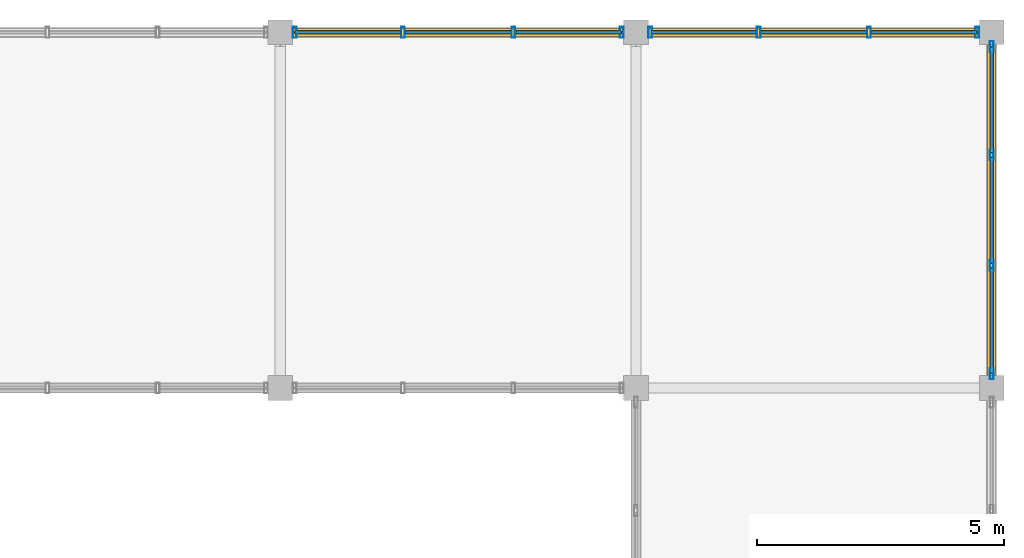
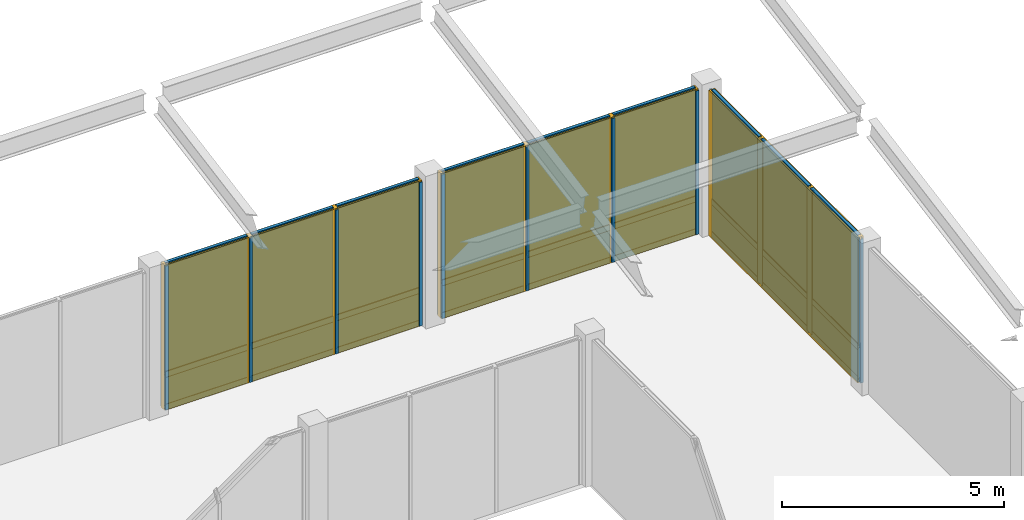
# One storey, part 15 of 16: 39 members, 18 plates, 3 curtain walls.
"""IFC4 building model written with IfcOpenShell, lengths in metres."""

from ifc_helpers import new_model, si_unit, direction, frame, origin, origin_2d, place, context, subcontext, project, spatial, rectangle, hollow_rectangle, extrude, material, layer, layer_set, material_profile, profile_set, type_object, element, aggregate, save


model = new_model("IFC4")

# Units and contexts
model_context = context("Model", 3, precision=1e-05, world=origin(), true_north=direction((0.0, 1.0)))
body_context = subcontext(model_context, "Body", "Model", "MODEL_VIEW")
ifc_project = project(units=[si_unit("LENGTHUNIT", "METRE"), si_unit("AREAUNIT", "SQUARE_METRE"), si_unit("VOLUMEUNIT", "CUBIC_METRE"), si_unit("PLANEANGLEUNIT", "RADIAN"), si_unit("MASSUNIT", "GRAM", prefix="KILO")], contexts=[model_context])

# Member
ifc_material_1 = material(Name="Anodized Aluminium 6063-T6", Category="aluminium")
ifc_material_profile_1 = material_profile(ifc_material_1, hollow_rectangle(XDim=0.074951171875, YDim=0.219970703125, WallThickness=0.0048828125, at=origin_2d()), Name="ALU 75x220x5")
ifc_profile_set_1 = profile_set([ifc_material_profile_1], Name="Anodized Aluminium 6063-T6")
member_type_1 = type_object("IfcMemberType", Name="CWM-75X180", PredefinedType="MULLION", material=ifc_profile_set_1)
site_placement = place(None, origin())
building_placement = place(site_placement, origin())
storey_placement = place(building_placement, frame((0.0, 0.0, 25.800048828125)))
member_1_placement = place(storey_placement, frame((86.68994140625, 115.199951171875, 0.02001953125), z_axis=(0.0, 0.0, 1.0), x_axis=(1.0, 0.0, 0.0)))
member_1 = element("IfcMember", 1, at=member_1_placement, type_object=member_type_1, Name="Curtain wall mullion CW-L07-12-15-N-00", PredefinedType="MULLION", context=body_context, shape_type="SweptSolid", body=[
    extrude(hollow_rectangle(XDim=0.074951171875, YDim=0.219970703125, WallThickness=0.0048828125, at=origin_2d()), origin(), (0.0, 0.0, 1.0), 3.9599609375),
])

member_2_placement = place(storey_placement, frame((88.88330078125, 115.199951171875, 0.02001953125), z_axis=(0.0, 0.0, 1.0), x_axis=(1.0, 0.0, 0.0)))
member_2 = element("IfcMember", 2, at=member_2_placement, type_object=member_type_1, Name="Curtain wall mullion CW-L07-12-15-N-01", PredefinedType="MULLION", context=body_context, shape_type="SweptSolid", body=[
    extrude(hollow_rectangle(XDim=0.074951171875, YDim=0.219970703125, WallThickness=0.0048828125, at=origin_2d()), origin(), (0.0, 0.0, 1.0), 3.9599609375),
])

member_3_placement = place(storey_placement, frame((91.11669921875, 115.199951171875, 0.02001953125), z_axis=(0.0, 0.0, 1.0), x_axis=(1.0, 0.0, 0.0)))
member_3 = element("IfcMember", 3, at=member_3_placement, type_object=member_type_1, Name="Curtain wall mullion CW-L07-12-15-N-02", PredefinedType="MULLION", context=body_context, shape_type="SweptSolid", body=[
    extrude(hollow_rectangle(XDim=0.074951171875, YDim=0.219970703125, WallThickness=0.0048828125, at=origin_2d()), origin(), (0.0, 0.0, 1.0), 3.9599609375),
])

member_4_placement = place(storey_placement, frame((93.31005859375, 115.199951171875, 0.02001953125), z_axis=(0.0, 0.0, 1.0), x_axis=(1.0, 0.0, 0.0)))
member_4 = element("IfcMember", 4, at=member_4_placement, type_object=member_type_1, Name="Curtain wall mullion CW-L07-12-15-N-03", PredefinedType="MULLION", context=body_context, shape_type="SweptSolid", body=[
    extrude(hollow_rectangle(XDim=0.074951171875, YDim=0.219970703125, WallThickness=0.0048828125, at=origin_2d()), origin(), (0.0, 0.0, 1.0), 3.9599609375),
])

member_5_placement = place(storey_placement, frame((93.889892578125, 115.199951171875, 0.02001953125), z_axis=(0.0, 0.0, 1.0), x_axis=(1.0, 0.0, 0.0)))
member_5 = element("IfcMember", 5, at=member_5_placement, type_object=member_type_1, Name="Curtain wall mullion CW-L07-13-15-N-00", PredefinedType="MULLION", context=body_context, shape_type="SweptSolid", body=[
    extrude(hollow_rectangle(XDim=0.074951171875, YDim=0.219970703125, WallThickness=0.0048828125, at=origin_2d()), origin(), (0.0, 0.0, 1.0), 3.9599609375),
])

member_6_placement = place(storey_placement, frame((96.083251953125, 115.199951171875, 0.02001953125), z_axis=(0.0, 0.0, 1.0), x_axis=(1.0, 0.0, 0.0)))
member_6 = element("IfcMember", 6, at=member_6_placement, type_object=member_type_1, Name="Curtain wall mullion CW-L07-13-15-N-01", PredefinedType="MULLION", context=body_context, shape_type="SweptSolid", body=[
    extrude(hollow_rectangle(XDim=0.074951171875, YDim=0.219970703125, WallThickness=0.0048828125, at=origin_2d()), origin(), (0.0, 0.0, 1.0), 3.9599609375),
])

member_7_placement = place(storey_placement, frame((98.316650390625, 115.199951171875, 0.02001953125), z_axis=(0.0, 0.0, 1.0), x_axis=(1.0, 0.0, 0.0)))
member_7 = element("IfcMember", 7, at=member_7_placement, type_object=member_type_1, Name="Curtain wall mullion CW-L07-13-15-N-02", PredefinedType="MULLION", context=body_context, shape_type="SweptSolid", body=[
    extrude(hollow_rectangle(XDim=0.074951171875, YDim=0.219970703125, WallThickness=0.0048828125, at=origin_2d()), origin(), (0.0, 0.0, 1.0), 3.9599609375),
])

member_8_placement = place(storey_placement, frame((100.510009765625, 115.199951171875, 0.02001953125), z_axis=(0.0, 0.0, 1.0), x_axis=(1.0, 0.0, 0.0)))
member_8 = element("IfcMember", 8, at=member_8_placement, type_object=member_type_1, Name="Curtain wall mullion CW-L07-13-15-N-03", PredefinedType="MULLION", context=body_context, shape_type="SweptSolid", body=[
    extrude(hollow_rectangle(XDim=0.074951171875, YDim=0.219970703125, WallThickness=0.0048828125, at=origin_2d()), origin(), (0.0, 0.0, 1.0), 3.9599609375),
])

member_9_placement = place(storey_placement, frame((100.800048828125, 114.909912109375, 0.02001953125), z_axis=(0.0, 0.0, 1.0), x_axis=(1.0, 0.0, 0.0)))
member_9 = element("IfcMember", 9, at=member_9_placement, type_object=member_type_1, Name="Curtain wall mullion CW-L07-13-15-E-00", PredefinedType="MULLION", context=body_context, shape_type="SweptSolid", body=[
    extrude(hollow_rectangle(XDim=0.074951171875, YDim=0.219970703125, WallThickness=0.0048828125, at=origin_2d()), origin(), (0.0, 0.0, 1.0), 3.9599609375),
])

member_10_placement = place(storey_placement, frame((100.800048828125, 112.716796875, 0.02001953125), z_axis=(0.0, 0.0, 1.0), x_axis=(1.0, 0.0, 0.0)))
member_10 = element("IfcMember", 10, at=member_10_placement, type_object=member_type_1, Name="Curtain wall mullion CW-L07-13-15-E-01", PredefinedType="MULLION", context=body_context, shape_type="SweptSolid", body=[
    extrude(hollow_rectangle(XDim=0.074951171875, YDim=0.219970703125, WallThickness=0.0048828125, at=origin_2d()), origin(), (0.0, 0.0, 1.0), 3.9599609375),
])

member_11_placement = place(storey_placement, frame((100.800048828125, 110.4833984375, 0.02001953125), z_axis=(0.0, 0.0, 1.0), x_axis=(1.0, 0.0, 0.0)))
member_11 = element("IfcMember", 11, at=member_11_placement, type_object=member_type_1, Name="Curtain wall mullion CW-L07-13-15-E-02", PredefinedType="MULLION", context=body_context, shape_type="SweptSolid", body=[
    extrude(hollow_rectangle(XDim=0.074951171875, YDim=0.219970703125, WallThickness=0.0048828125, at=origin_2d()), origin(), (0.0, 0.0, 1.0), 3.9599609375),
])

member_12_placement = place(storey_placement, frame((100.800048828125, 108.2900390625, 0.02001953125), z_axis=(0.0, 0.0, 1.0), x_axis=(1.0, 0.0, 0.0)))
member_12 = element("IfcMember", 12, at=member_12_placement, type_object=member_type_1, Name="Curtain wall mullion CW-L07-13-15-E-03", PredefinedType="MULLION", context=body_context, shape_type="SweptSolid", body=[
    extrude(hollow_rectangle(XDim=0.074951171875, YDim=0.219970703125, WallThickness=0.0048828125, at=origin_2d()), origin(), (0.0, 0.0, 1.0), 3.9599609375),
])

ifc_material_profile_2 = material_profile(ifc_material_1, hollow_rectangle(XDim=0.074951171875, YDim=0.159912109375, WallThickness=0.00390625, at=origin_2d()), Name="ALU 75x160x4")
ifc_profile_set_2 = profile_set([ifc_material_profile_2], Name="Anodized Aluminium 6063-T6")
member_type_2 = type_object("IfcMemberType", Name="CWT-75X150", PredefinedType="USERDEFINED", material=ifc_profile_set_2)
member_13_placement = place(storey_placement, frame((86.699951171875, 115.199951171875, 0.050048828125), z_axis=(1.0, 0.0, 0.0), x_axis=(0.0, 1.0, 0.0)))
member_13 = element("IfcMember", 13, at=member_13_placement, type_object=member_type_2, Name="Curtain wall transom CW-L07-12-15-N-1.01", ObjectType="TRANSOM", PredefinedType="USERDEFINED", context=body_context, shape_type="SweptSolid", body=[
    extrude(hollow_rectangle(XDim=0.074951171875, YDim=0.159912109375, WallThickness=0.00390625, at=origin_2d()), origin(), (0.0, 0.0, 1.0), 2.13330078125),
])

member_14_placement = place(storey_placement, frame((88.933349609375, 115.199951171875, 0.050048828125), z_axis=(1.0, 0.0, 0.0), x_axis=(0.0, 1.0, 0.0)))
member_14 = element("IfcMember", 14, at=member_14_placement, type_object=member_type_2, Name="Curtain wall transom CW-L07-12-15-N-1.02", ObjectType="TRANSOM", PredefinedType="USERDEFINED", context=body_context, shape_type="SweptSolid", body=[
    extrude(hollow_rectangle(XDim=0.074951171875, YDim=0.159912109375, WallThickness=0.00390625, at=origin_2d()), origin(), (0.0, 0.0, 1.0), 2.13330078125),
])

member_15_placement = place(storey_placement, frame((91.166748046875, 115.199951171875, 0.050048828125), z_axis=(1.0, 0.0, 0.0), x_axis=(0.0, 1.0, 0.0)))
member_15 = element("IfcMember", 15, at=member_15_placement, type_object=member_type_2, Name="Curtain wall transom CW-L07-12-15-N-1.03", ObjectType="TRANSOM", PredefinedType="USERDEFINED", context=body_context, shape_type="SweptSolid", body=[
    extrude(hollow_rectangle(XDim=0.074951171875, YDim=0.159912109375, WallThickness=0.00390625, at=origin_2d()), origin(), (0.0, 0.0, 1.0), 2.13330078125),
])

member_16_placement = place(storey_placement, frame((86.699951171875, 115.199951171875, 0.949951171875), z_axis=(1.0, 0.0, 0.0), x_axis=(0.0, 1.0, 0.0)))
member_16 = element("IfcMember", 16, at=member_16_placement, type_object=member_type_2, Name="Curtain wall transom CW-L07-12-15-N-2.01", ObjectType="TRANSOM", PredefinedType="USERDEFINED", context=body_context, shape_type="SweptSolid", body=[
    extrude(hollow_rectangle(XDim=0.074951171875, YDim=0.159912109375, WallThickness=0.00390625, at=origin_2d()), origin(), (0.0, 0.0, 1.0), 2.13330078125),
])

member_17_placement = place(storey_placement, frame((88.933349609375, 115.199951171875, 0.949951171875), z_axis=(1.0, 0.0, 0.0), x_axis=(0.0, 1.0, 0.0)))
member_17 = element("IfcMember", 17, at=member_17_placement, type_object=member_type_2, Name="Curtain wall transom CW-L07-12-15-N-2.02", ObjectType="TRANSOM", PredefinedType="USERDEFINED", context=body_context, shape_type="SweptSolid", body=[
    extrude(hollow_rectangle(XDim=0.074951171875, YDim=0.159912109375, WallThickness=0.00390625, at=origin_2d()), origin(), (0.0, 0.0, 1.0), 2.13330078125),
])

member_18_placement = place(storey_placement, frame((91.166748046875, 115.199951171875, 0.949951171875), z_axis=(1.0, 0.0, 0.0), x_axis=(0.0, 1.0, 0.0)))
member_18 = element("IfcMember", 18, at=member_18_placement, type_object=member_type_2, Name="Curtain wall transom CW-L07-12-15-N-2.03", ObjectType="TRANSOM", PredefinedType="USERDEFINED", context=body_context, shape_type="SweptSolid", body=[
    extrude(hollow_rectangle(XDim=0.074951171875, YDim=0.159912109375, WallThickness=0.00390625, at=origin_2d()), origin(), (0.0, 0.0, 1.0), 2.13330078125),
])

member_19_placement = place(storey_placement, frame((86.699951171875, 115.199951171875, 3.949951171875), z_axis=(1.0, 0.0, 0.0), x_axis=(0.0, 1.0, 0.0)))
member_19 = element("IfcMember", 19, at=member_19_placement, type_object=member_type_2, Name="Curtain wall transom CW-L07-12-15-N-3.01", ObjectType="TRANSOM", PredefinedType="USERDEFINED", context=body_context, shape_type="SweptSolid", body=[
    extrude(hollow_rectangle(XDim=0.074951171875, YDim=0.159912109375, WallThickness=0.00390625, at=origin_2d()), origin(), (0.0, 0.0, 1.0), 2.13330078125),
])

member_20_placement = place(storey_placement, frame((88.933349609375, 115.199951171875, 3.949951171875), z_axis=(1.0, 0.0, 0.0), x_axis=(0.0, 1.0, 0.0)))
member_20 = element("IfcMember", 20, at=member_20_placement, type_object=member_type_2, Name="Curtain wall transom CW-L07-12-15-N-3.02", ObjectType="TRANSOM", PredefinedType="USERDEFINED", context=body_context, shape_type="SweptSolid", body=[
    extrude(hollow_rectangle(XDim=0.074951171875, YDim=0.159912109375, WallThickness=0.00390625, at=origin_2d()), origin(), (0.0, 0.0, 1.0), 2.13330078125),
])

member_21_placement = place(storey_placement, frame((91.166748046875, 115.199951171875, 3.949951171875), z_axis=(1.0, 0.0, 0.0), x_axis=(0.0, 1.0, 0.0)))
member_21 = element("IfcMember", 21, at=member_21_placement, type_object=member_type_2, Name="Curtain wall transom CW-L07-12-15-N-3.03", ObjectType="TRANSOM", PredefinedType="USERDEFINED", context=body_context, shape_type="SweptSolid", body=[
    extrude(hollow_rectangle(XDim=0.074951171875, YDim=0.159912109375, WallThickness=0.00390625, at=origin_2d()), origin(), (0.0, 0.0, 1.0), 2.13330078125),
])

member_22_placement = place(storey_placement, frame((93.89990234375, 115.199951171875, 0.050048828125), z_axis=(1.0, 0.0, 0.0), x_axis=(0.0, 1.0, 0.0)))
member_22 = element("IfcMember", 22, at=member_22_placement, type_object=member_type_2, Name="Curtain wall transom CW-L07-13-15-N-1.01", ObjectType="TRANSOM", PredefinedType="USERDEFINED", context=body_context, shape_type="SweptSolid", body=[
    extrude(hollow_rectangle(XDim=0.074951171875, YDim=0.159912109375, WallThickness=0.00390625, at=origin_2d()), origin(), (0.0, 0.0, 1.0), 2.13330078125),
])

member_23_placement = place(storey_placement, frame((96.13330078125, 115.199951171875, 0.050048828125), z_axis=(1.0, 0.0, 0.0), x_axis=(0.0, 1.0, 0.0)))
member_23 = element("IfcMember", 23, at=member_23_placement, type_object=member_type_2, Name="Curtain wall transom CW-L07-13-15-N-1.02", ObjectType="TRANSOM", PredefinedType="USERDEFINED", context=body_context, shape_type="SweptSolid", body=[
    extrude(hollow_rectangle(XDim=0.074951171875, YDim=0.159912109375, WallThickness=0.00390625, at=origin_2d()), origin(), (0.0, 0.0, 1.0), 2.13330078125),
])

member_24_placement = place(storey_placement, frame((98.36669921875, 115.199951171875, 0.050048828125), z_axis=(1.0, 0.0, 0.0), x_axis=(0.0, 1.0, 0.0)))
member_24 = element("IfcMember", 24, at=member_24_placement, type_object=member_type_2, Name="Curtain wall transom CW-L07-13-15-N-1.03", ObjectType="TRANSOM", PredefinedType="USERDEFINED", context=body_context, shape_type="SweptSolid", body=[
    extrude(hollow_rectangle(XDim=0.074951171875, YDim=0.159912109375, WallThickness=0.00390625, at=origin_2d()), origin(), (0.0, 0.0, 1.0), 2.13330078125),
])

member_25_placement = place(storey_placement, frame((93.89990234375, 115.199951171875, 0.949951171875), z_axis=(1.0, 0.0, 0.0), x_axis=(0.0, 1.0, 0.0)))
member_25 = element("IfcMember", 25, at=member_25_placement, type_object=member_type_2, Name="Curtain wall transom CW-L07-13-15-N-2.01", ObjectType="TRANSOM", PredefinedType="USERDEFINED", context=body_context, shape_type="SweptSolid", body=[
    extrude(hollow_rectangle(XDim=0.074951171875, YDim=0.159912109375, WallThickness=0.00390625, at=origin_2d()), origin(), (0.0, 0.0, 1.0), 2.13330078125),
])

member_26_placement = place(storey_placement, frame((96.13330078125, 115.199951171875, 0.949951171875), z_axis=(1.0, 0.0, 0.0), x_axis=(0.0, 1.0, 0.0)))
member_26 = element("IfcMember", 26, at=member_26_placement, type_object=member_type_2, Name="Curtain wall transom CW-L07-13-15-N-2.02", ObjectType="TRANSOM", PredefinedType="USERDEFINED", context=body_context, shape_type="SweptSolid", body=[
    extrude(hollow_rectangle(XDim=0.074951171875, YDim=0.159912109375, WallThickness=0.00390625, at=origin_2d()), origin(), (0.0, 0.0, 1.0), 2.13330078125),
])

member_27_placement = place(storey_placement, frame((98.36669921875, 115.199951171875, 0.949951171875), z_axis=(1.0, 0.0, 0.0), x_axis=(0.0, 1.0, 0.0)))
member_27 = element("IfcMember", 27, at=member_27_placement, type_object=member_type_2, Name="Curtain wall transom CW-L07-13-15-N-2.03", ObjectType="TRANSOM", PredefinedType="USERDEFINED", context=body_context, shape_type="SweptSolid", body=[
    extrude(hollow_rectangle(XDim=0.074951171875, YDim=0.159912109375, WallThickness=0.00390625, at=origin_2d()), origin(), (0.0, 0.0, 1.0), 2.13330078125),
])

member_28_placement = place(storey_placement, frame((93.89990234375, 115.199951171875, 3.949951171875), z_axis=(1.0, 0.0, 0.0), x_axis=(0.0, 1.0, 0.0)))
member_28 = element("IfcMember", 28, at=member_28_placement, type_object=member_type_2, Name="Curtain wall transom CW-L07-13-15-N-3.01", ObjectType="TRANSOM", PredefinedType="USERDEFINED", context=body_context, shape_type="SweptSolid", body=[
    extrude(hollow_rectangle(XDim=0.074951171875, YDim=0.159912109375, WallThickness=0.00390625, at=origin_2d()), origin(), (0.0, 0.0, 1.0), 2.13330078125),
])

member_29_placement = place(storey_placement, frame((96.13330078125, 115.199951171875, 3.949951171875), z_axis=(1.0, 0.0, 0.0), x_axis=(0.0, 1.0, 0.0)))
member_29 = element("IfcMember", 29, at=member_29_placement, type_object=member_type_2, Name="Curtain wall transom CW-L07-13-15-N-3.02", ObjectType="TRANSOM", PredefinedType="USERDEFINED", context=body_context, shape_type="SweptSolid", body=[
    extrude(hollow_rectangle(XDim=0.074951171875, YDim=0.159912109375, WallThickness=0.00390625, at=origin_2d()), origin(), (0.0, 0.0, 1.0), 2.13330078125),
])

member_30_placement = place(storey_placement, frame((98.36669921875, 115.199951171875, 3.949951171875), z_axis=(1.0, 0.0, 0.0), x_axis=(0.0, 1.0, 0.0)))
member_30 = element("IfcMember", 30, at=member_30_placement, type_object=member_type_2, Name="Curtain wall transom CW-L07-13-15-N-3.03", ObjectType="TRANSOM", PredefinedType="USERDEFINED", context=body_context, shape_type="SweptSolid", body=[
    extrude(hollow_rectangle(XDim=0.074951171875, YDim=0.159912109375, WallThickness=0.00390625, at=origin_2d()), origin(), (0.0, 0.0, 1.0), 2.13330078125),
])

member_31_placement = place(storey_placement, frame((100.800048828125, 114.89990234375, 0.050048828125), z_axis=(0.0, -1.0, 0.0), x_axis=(1.0, 0.0, 0.0)))
member_31 = element("IfcMember", 31, at=member_31_placement, type_object=member_type_2, Name="Curtain wall transom CW-L07-13-15-E-1.01", ObjectType="TRANSOM", PredefinedType="USERDEFINED", context=body_context, shape_type="SweptSolid", body=[
    extrude(hollow_rectangle(XDim=0.074951171875, YDim=0.159912109375, WallThickness=0.00390625, at=origin_2d()), origin(), (0.0, 0.0, 1.0), 2.13330078125),
])

member_32_placement = place(storey_placement, frame((100.800048828125, 112.666748046875, 0.050048828125), z_axis=(0.0, -1.0, 0.0), x_axis=(1.0, 0.0, 0.0)))
member_32 = element("IfcMember", 32, at=member_32_placement, type_object=member_type_2, Name="Curtain wall transom CW-L07-13-15-E-1.02", ObjectType="TRANSOM", PredefinedType="USERDEFINED", context=body_context, shape_type="SweptSolid", body=[
    extrude(hollow_rectangle(XDim=0.074951171875, YDim=0.159912109375, WallThickness=0.00390625, at=origin_2d()), origin(), (0.0, 0.0, 1.0), 2.133544921875),
])

member_33_placement = place(storey_placement, frame((100.800048828125, 110.433349609375, 0.050048828125), z_axis=(0.0, -1.0, 0.0), x_axis=(1.0, 0.0, 0.0)))
member_33 = element("IfcMember", 33, at=member_33_placement, type_object=member_type_2, Name="Curtain wall transom CW-L07-13-15-E-1.03", ObjectType="TRANSOM", PredefinedType="USERDEFINED", context=body_context, shape_type="SweptSolid", body=[
    extrude(hollow_rectangle(XDim=0.074951171875, YDim=0.159912109375, WallThickness=0.00390625, at=origin_2d()), origin(), (0.0, 0.0, 1.0), 2.13330078125),
])

member_34_placement = place(storey_placement, frame((100.800048828125, 114.89990234375, 0.949951171875), z_axis=(0.0, -1.0, 0.0), x_axis=(1.0, 0.0, 0.0)))
member_34 = element("IfcMember", 34, at=member_34_placement, type_object=member_type_2, Name="Curtain wall transom CW-L07-13-15-E-2.01", ObjectType="TRANSOM", PredefinedType="USERDEFINED", context=body_context, shape_type="SweptSolid", body=[
    extrude(hollow_rectangle(XDim=0.074951171875, YDim=0.159912109375, WallThickness=0.00390625, at=origin_2d()), origin(), (0.0, 0.0, 1.0), 2.13330078125),
])

member_35_placement = place(storey_placement, frame((100.800048828125, 112.666748046875, 0.949951171875), z_axis=(0.0, -1.0, 0.0), x_axis=(1.0, 0.0, 0.0)))
member_35 = element("IfcMember", 35, at=member_35_placement, type_object=member_type_2, Name="Curtain wall transom CW-L07-13-15-E-2.02", ObjectType="TRANSOM", PredefinedType="USERDEFINED", context=body_context, shape_type="SweptSolid", body=[
    extrude(hollow_rectangle(XDim=0.074951171875, YDim=0.159912109375, WallThickness=0.00390625, at=origin_2d()), origin(), (0.0, 0.0, 1.0), 2.133544921875),
])

member_36_placement = place(storey_placement, frame((100.800048828125, 110.433349609375, 0.949951171875), z_axis=(0.0, -1.0, 0.0), x_axis=(1.0, 0.0, 0.0)))
member_36 = element("IfcMember", 36, at=member_36_placement, type_object=member_type_2, Name="Curtain wall transom CW-L07-13-15-E-2.03", ObjectType="TRANSOM", PredefinedType="USERDEFINED", context=body_context, shape_type="SweptSolid", body=[
    extrude(hollow_rectangle(XDim=0.074951171875, YDim=0.159912109375, WallThickness=0.00390625, at=origin_2d()), origin(), (0.0, 0.0, 1.0), 2.13330078125),
])

member_37_placement = place(storey_placement, frame((100.800048828125, 114.89990234375, 3.949951171875), z_axis=(0.0, -1.0, 0.0), x_axis=(1.0, 0.0, 0.0)))
member_37 = element("IfcMember", 37, at=member_37_placement, type_object=member_type_2, Name="Curtain wall transom CW-L07-13-15-E-3.01", ObjectType="TRANSOM", PredefinedType="USERDEFINED", context=body_context, shape_type="SweptSolid", body=[
    extrude(hollow_rectangle(XDim=0.074951171875, YDim=0.159912109375, WallThickness=0.00390625, at=origin_2d()), origin(), (0.0, 0.0, 1.0), 2.13330078125),
])

member_38_placement = place(storey_placement, frame((100.800048828125, 112.666748046875, 3.949951171875), z_axis=(0.0, -1.0, 0.0), x_axis=(1.0, 0.0, 0.0)))
member_38 = element("IfcMember", 38, at=member_38_placement, type_object=member_type_2, Name="Curtain wall transom CW-L07-13-15-E-3.02", ObjectType="TRANSOM", PredefinedType="USERDEFINED", context=body_context, shape_type="SweptSolid", body=[
    extrude(hollow_rectangle(XDim=0.074951171875, YDim=0.159912109375, WallThickness=0.00390625, at=origin_2d()), origin(), (0.0, 0.0, 1.0), 2.133544921875),
])

member_39_placement = place(storey_placement, frame((100.800048828125, 110.433349609375, 3.949951171875), z_axis=(0.0, -1.0, 0.0), x_axis=(1.0, 0.0, 0.0)))
member_39 = element("IfcMember", 39, at=member_39_placement, type_object=member_type_2, Name="Curtain wall transom CW-L07-13-15-E-3.03", ObjectType="TRANSOM", PredefinedType="USERDEFINED", context=body_context, shape_type="SweptSolid", body=[
    extrude(hollow_rectangle(XDim=0.074951171875, YDim=0.159912109375, WallThickness=0.00390625, at=origin_2d()), origin(), (0.0, 0.0, 1.0), 2.13330078125),
])

# Plate
ifc_material_2 = material(Name="Acoustic Laminated Low-E Glazing", Category="glass")
ifc_layer_1 = layer(ifc_material_2, 0.0439453125)
ifc_layer_set_1 = layer_set([ifc_layer_1], Name="Acoustic Laminated Low-E Glazing")
plate_type_1 = type_object("IfcPlateType", Name="CWP-IGU-44", PredefinedType="CURTAIN_PANEL", material=ifc_layer_set_1)
plate_1_placement = place(storey_placement, frame((87.7666015625, 115.199951171875, 0.98974609375), z_axis=(0.0, 0.0, 1.0), x_axis=(1.0, 0.0, 0.0)))
plate_1 = element("IfcPlate", 40, at=plate_1_placement, type_object=plate_type_1, Name="Curtain wall vision glazing CW-L07-12-15-N-01", PredefinedType="CURTAIN_PANEL", context=body_context, shape_type="SweptSolid", body=[
    extrude(rectangle(XDim=2.143310546875, YDim=0.0400390625, at=origin_2d()), origin(), (0.0, 0.0, 1.0), 2.949951171875),
])

plate_2_placement = place(storey_placement, frame((90.0, 115.199951171875, 0.98974609375), z_axis=(0.0, 0.0, 1.0), x_axis=(1.0, 0.0, 0.0)))
plate_2 = element("IfcPlate", 41, at=plate_2_placement, type_object=plate_type_1, Name="Curtain wall vision glazing CW-L07-12-15-N-02", PredefinedType="CURTAIN_PANEL", context=body_context, shape_type="SweptSolid", body=[
    extrude(rectangle(XDim=2.143310546875, YDim=0.0400390625, at=origin_2d()), origin(), (0.0, 0.0, 1.0), 2.949951171875),
])

plate_3_placement = place(storey_placement, frame((92.2333984375, 115.199951171875, 0.98974609375), z_axis=(0.0, 0.0, 1.0), x_axis=(1.0, 0.0, 0.0)))
plate_3 = element("IfcPlate", 42, at=plate_3_placement, type_object=plate_type_1, Name="Curtain wall vision glazing CW-L07-12-15-N-03", PredefinedType="CURTAIN_PANEL", context=body_context, shape_type="SweptSolid", body=[
    extrude(rectangle(XDim=2.143310546875, YDim=0.0400390625, at=origin_2d()), origin(), (0.0, 0.0, 1.0), 2.949951171875),
])

plate_4_placement = place(storey_placement, frame((94.966796875, 115.199951171875, 0.98974609375), z_axis=(0.0, 0.0, 1.0), x_axis=(1.0, 0.0, 0.0)))
plate_4 = element("IfcPlate", 43, at=plate_4_placement, type_object=plate_type_1, Name="Curtain wall vision glazing CW-L07-13-15-N-01", PredefinedType="CURTAIN_PANEL", context=body_context, shape_type="SweptSolid", body=[
    extrude(rectangle(XDim=2.143310546875, YDim=0.0400390625, at=origin_2d()), origin(), (0.0, 0.0, 1.0), 2.949951171875),
])

plate_5_placement = place(storey_placement, frame((97.199951171875, 115.199951171875, 0.98974609375), z_axis=(0.0, 0.0, 1.0), x_axis=(1.0, 0.0, 0.0)))
plate_5 = element("IfcPlate", 44, at=plate_5_placement, type_object=plate_type_1, Name="Curtain wall vision glazing CW-L07-13-15-N-02", PredefinedType="CURTAIN_PANEL", context=body_context, shape_type="SweptSolid", body=[
    extrude(rectangle(XDim=2.143310546875, YDim=0.0400390625, at=origin_2d()), origin(), (0.0, 0.0, 1.0), 2.949951171875),
])

plate_6_placement = place(storey_placement, frame((99.433349609375, 115.199951171875, 0.98974609375), z_axis=(0.0, 0.0, 1.0), x_axis=(1.0, 0.0, 0.0)))
plate_6 = element("IfcPlate", 45, at=plate_6_placement, type_object=plate_type_1, Name="Curtain wall vision glazing CW-L07-13-15-N-03", PredefinedType="CURTAIN_PANEL", context=body_context, shape_type="SweptSolid", body=[
    extrude(rectangle(XDim=2.143310546875, YDim=0.0400390625, at=origin_2d()), origin(), (0.0, 0.0, 1.0), 2.949951171875),
])

plate_7_placement = place(storey_placement, frame((100.800048828125, 113.833251953125, 0.98974609375), z_axis=(0.0, 0.0, 1.0), x_axis=(0.0, -1.0, 0.0)))
plate_7 = element("IfcPlate", 46, at=plate_7_placement, type_object=plate_type_1, Name="Curtain wall vision glazing CW-L07-13-15-E-01", PredefinedType="CURTAIN_PANEL", context=body_context, shape_type="SweptSolid", body=[
    extrude(rectangle(XDim=2.143310546875, YDim=0.0400390625, at=origin_2d()), origin(), (0.0, 0.0, 1.0), 2.949951171875),
])

plate_8_placement = place(storey_placement, frame((100.800048828125, 111.60009765625, 0.98974609375), z_axis=(0.0, 0.0, 1.0), x_axis=(0.0, -1.0, 0.0)))
plate_8 = element("IfcPlate", 47, at=plate_8_placement, type_object=plate_type_1, Name="Curtain wall vision glazing CW-L07-13-15-E-02", PredefinedType="CURTAIN_PANEL", context=body_context, shape_type="SweptSolid", body=[
    extrude(rectangle(XDim=2.143310546875, YDim=0.0400390625, at=origin_2d()), origin(), (0.0, 0.0, 1.0), 2.949951171875),
])

plate_9_placement = place(storey_placement, frame((100.800048828125, 109.36669921875, 0.98974609375), z_axis=(0.0, 0.0, 1.0), x_axis=(0.0, -1.0, 0.0)))
plate_9 = element("IfcPlate", 48, at=plate_9_placement, type_object=plate_type_1, Name="Curtain wall vision glazing CW-L07-13-15-E-03", PredefinedType="CURTAIN_PANEL", context=body_context, shape_type="SweptSolid", body=[
    extrude(rectangle(XDim=2.143310546875, YDim=0.0400390625, at=origin_2d()), origin(), (0.0, 0.0, 1.0), 2.949951171875),
])

ifc_material_3 = material(Name="Insulated Stone-Composite Spandrel", Category="masonry")
ifc_layer_2 = layer(ifc_material_3, 0.068115234375)
ifc_layer_set_2 = layer_set([ifc_layer_2], Name="Insulated Stone-Composite Spandrel")
plate_type_2 = type_object("IfcPlateType", Name="CWP-SPN-68", PredefinedType="CURTAIN_PANEL", material=ifc_layer_set_2)
plate_10_placement = place(storey_placement, frame((87.7666015625, 115.199951171875, 0.080078125), z_axis=(0.0, 0.0, 1.0), x_axis=(1.0, 0.0, 0.0)))
plate_10 = element("IfcPlate", 49, at=plate_10_placement, type_object=plate_type_2, Name="Curtain wall spandrel panel CW-L07-12-15-N-01", PredefinedType="CURTAIN_PANEL", context=body_context, shape_type="SweptSolid", body=[
    extrude(rectangle(XDim=2.143310546875, YDim=0.06005859375, at=origin_2d()), origin(), (0.0, 0.0, 1.0), 0.840087890625),
])

plate_11_placement = place(storey_placement, frame((90.0, 115.199951171875, 0.080078125), z_axis=(0.0, 0.0, 1.0), x_axis=(1.0, 0.0, 0.0)))
plate_11 = element("IfcPlate", 50, at=plate_11_placement, type_object=plate_type_2, Name="Curtain wall spandrel panel CW-L07-12-15-N-02", PredefinedType="CURTAIN_PANEL", context=body_context, shape_type="SweptSolid", body=[
    extrude(rectangle(XDim=2.143310546875, YDim=0.06005859375, at=origin_2d()), origin(), (0.0, 0.0, 1.0), 0.840087890625),
])

plate_12_placement = place(storey_placement, frame((92.2333984375, 115.199951171875, 0.080078125), z_axis=(0.0, 0.0, 1.0), x_axis=(1.0, 0.0, 0.0)))
plate_12 = element("IfcPlate", 51, at=plate_12_placement, type_object=plate_type_2, Name="Curtain wall spandrel panel CW-L07-12-15-N-03", PredefinedType="CURTAIN_PANEL", context=body_context, shape_type="SweptSolid", body=[
    extrude(rectangle(XDim=2.143310546875, YDim=0.06005859375, at=origin_2d()), origin(), (0.0, 0.0, 1.0), 0.840087890625),
])

plate_13_placement = place(storey_placement, frame((94.966796875, 115.199951171875, 0.080078125), z_axis=(0.0, 0.0, 1.0), x_axis=(1.0, 0.0, 0.0)))
plate_13 = element("IfcPlate", 52, at=plate_13_placement, type_object=plate_type_2, Name="Curtain wall spandrel panel CW-L07-13-15-N-01", PredefinedType="CURTAIN_PANEL", context=body_context, shape_type="SweptSolid", body=[
    extrude(rectangle(XDim=2.143310546875, YDim=0.06005859375, at=origin_2d()), origin(), (0.0, 0.0, 1.0), 0.840087890625),
])

plate_14_placement = place(storey_placement, frame((97.199951171875, 115.199951171875, 0.080078125), z_axis=(0.0, 0.0, 1.0), x_axis=(1.0, 0.0, 0.0)))
plate_14 = element("IfcPlate", 53, at=plate_14_placement, type_object=plate_type_2, Name="Curtain wall spandrel panel CW-L07-13-15-N-02", PredefinedType="CURTAIN_PANEL", context=body_context, shape_type="SweptSolid", body=[
    extrude(rectangle(XDim=2.143310546875, YDim=0.06005859375, at=origin_2d()), origin(), (0.0, 0.0, 1.0), 0.840087890625),
])

plate_15_placement = place(storey_placement, frame((99.433349609375, 115.199951171875, 0.080078125), z_axis=(0.0, 0.0, 1.0), x_axis=(1.0, 0.0, 0.0)))
plate_15 = element("IfcPlate", 54, at=plate_15_placement, type_object=plate_type_2, Name="Curtain wall spandrel panel CW-L07-13-15-N-03", PredefinedType="CURTAIN_PANEL", context=body_context, shape_type="SweptSolid", body=[
    extrude(rectangle(XDim=2.143310546875, YDim=0.06005859375, at=origin_2d()), origin(), (0.0, 0.0, 1.0), 0.840087890625),
])

plate_16_placement = place(storey_placement, frame((100.800048828125, 113.833251953125, 0.080078125), z_axis=(0.0, 0.0, 1.0), x_axis=(0.0, -1.0, 0.0)))
plate_16 = element("IfcPlate", 55, at=plate_16_placement, type_object=plate_type_2, Name="Curtain wall spandrel panel CW-L07-13-15-E-01", PredefinedType="CURTAIN_PANEL", context=body_context, shape_type="SweptSolid", body=[
    extrude(rectangle(XDim=2.143310546875, YDim=0.06005859375, at=origin_2d()), origin(), (0.0, 0.0, 1.0), 0.840087890625),
])

plate_17_placement = place(storey_placement, frame((100.800048828125, 111.60009765625, 0.080078125), z_axis=(0.0, 0.0, 1.0), x_axis=(0.0, -1.0, 0.0)))
plate_17 = element("IfcPlate", 56, at=plate_17_placement, type_object=plate_type_2, Name="Curtain wall spandrel panel CW-L07-13-15-E-02", PredefinedType="CURTAIN_PANEL", context=body_context, shape_type="SweptSolid", body=[
    extrude(rectangle(XDim=2.143310546875, YDim=0.06005859375, at=origin_2d()), origin(), (0.0, 0.0, 1.0), 0.840087890625),
])

plate_18_placement = place(storey_placement, frame((100.800048828125, 109.36669921875, 0.080078125), z_axis=(0.0, 0.0, 1.0), x_axis=(0.0, -1.0, 0.0)))
plate_18 = element("IfcPlate", 57, at=plate_18_placement, type_object=plate_type_2, Name="Curtain wall spandrel panel CW-L07-13-15-E-03", PredefinedType="CURTAIN_PANEL", context=body_context, shape_type="SweptSolid", body=[
    extrude(rectangle(XDim=2.143310546875, YDim=0.06005859375, at=origin_2d()), origin(), (0.0, 0.0, 1.0), 0.840087890625),
])

# Site, building, storey
site = spatial("IfcSite", under=ifc_project, at=site_placement, CompositionType="ELEMENT")
building = spatial("IfcBuilding", under=site, at=building_placement, Name="Sillqori Civic Hall", CompositionType="ELEMENT")
storey = spatial("IfcBuildingStorey", under=building, at=storey_placement, Name="L07", CompositionType="ELEMENT", Elevation=25.800048828125)

# Curtain wall
ifc_material_4 = material(Name="Anodized Aluminium Curtain Wall System", Category="aluminium")
curtain_wall_type = type_object("IfcCurtainWallType", Name="CW-OB-340", PredefinedType="NOTDEFINED", material=ifc_material_4)
curtain_wall_1_placement = place(storey_placement, frame((90.0, 115.199951171875, 0.0), z_axis=(0.0, 0.0, 1.0), x_axis=(1.0, 0.0, 0.0)))
curtain_wall_1 = element("IfcCurtainWall", 58, at=curtain_wall_1_placement, inside=storey, type_object=curtain_wall_type, Name="L07 unitised curtain wall CW-L07-12-15-N", PredefinedType="NOTDEFINED", context=body_context, shape_type="SweptSolid", body=[
    extrude(rectangle(XDim=6.699951171875, YDim=0.159912109375, at=origin_2d()), origin(), (0.0, 0.0, 1.0), 4.0),
])

aggregate(curtain_wall_1, [member_1, member_2, member_3, member_4, member_13, member_14, member_15, member_16, member_17, member_18, member_19, member_20, member_21, plate_10, plate_1, plate_11, plate_2, plate_12, plate_3])

curtain_wall_2_placement = place(storey_placement, frame((97.199951171875, 115.199951171875, 0.0), z_axis=(0.0, 0.0, 1.0), x_axis=(1.0, 0.0, 0.0)))
curtain_wall_2 = element("IfcCurtainWall", 59, at=curtain_wall_2_placement, inside=storey, type_object=curtain_wall_type, Name="L07 unitised curtain wall CW-L07-13-15-N", PredefinedType="NOTDEFINED", context=body_context, shape_type="SweptSolid", body=[
    extrude(rectangle(XDim=6.699951171875, YDim=0.159912109375, at=origin_2d()), origin(), (0.0, 0.0, 1.0), 4.0),
])

aggregate(curtain_wall_2, [member_5, member_6, member_7, member_8, member_22, member_23, member_24, member_25, member_26, member_27, member_28, member_29, member_30, plate_13, plate_4, plate_14, plate_5, plate_15, plate_6])

curtain_wall_3_placement = place(storey_placement, frame((100.800048828125, 111.60009765625, 0.0), z_axis=(0.0, 0.0, 1.0), x_axis=(0.0, -1.0, 0.0)))
curtain_wall_3 = element("IfcCurtainWall", 60, at=curtain_wall_3_placement, inside=storey, type_object=curtain_wall_type, Name="L07 unitised curtain wall CW-L07-13-15-E", PredefinedType="NOTDEFINED", context=body_context, shape_type="SweptSolid", body=[
    extrude(rectangle(XDim=6.699951171875, YDim=0.159912109375, at=origin_2d()), origin(), (0.0, 0.0, 1.0), 4.0),
])

aggregate(curtain_wall_3, [member_9, member_10, member_11, member_12, member_31, member_32, member_33, member_34, member_35, member_36, member_37, member_38, member_39, plate_16, plate_7, plate_17, plate_8, plate_18, plate_9])

save(model, "model.ifc")
